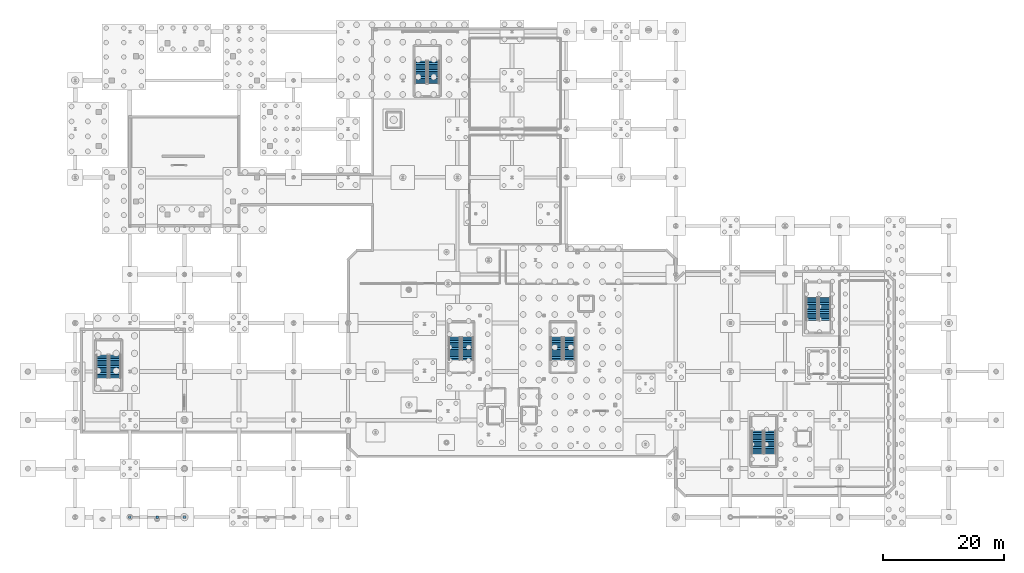
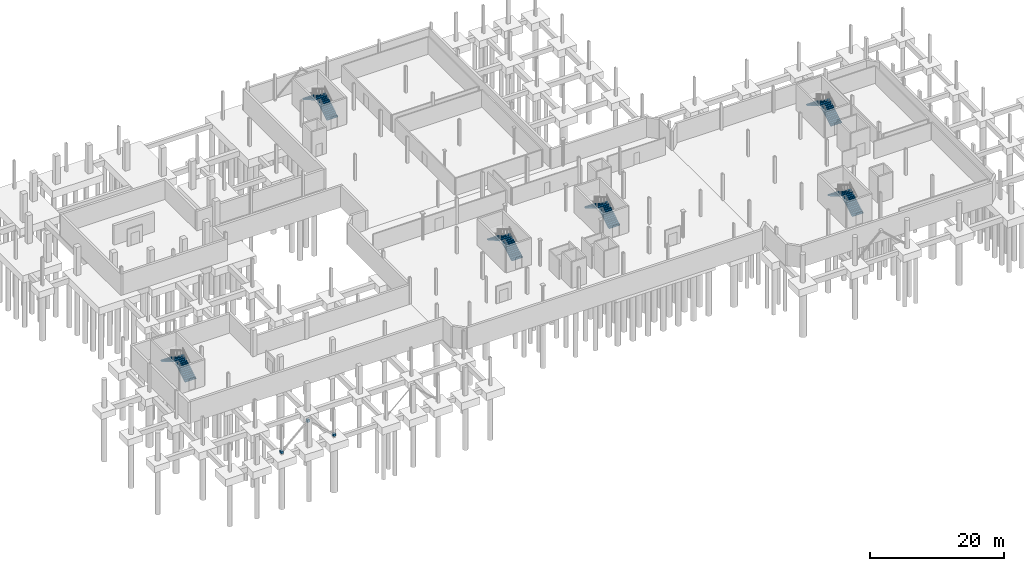
# One storey, part 31 of 37: 12 stair flights, 3 discrete accessories, 6 elements without a shape of their own.
"""IFC4 building model written with IfcOpenShell, lengths in metres."""

from ifc_helpers import new_model, si_unit, direction, frame, origin, place, context, subcontext, project, spatial, polyline, outline, extrude, material, type_object, element, aggregate, save


model = new_model("IFC4")

# Units and contexts
model_context = context("Model", 3, precision=1e-05, world=origin(), true_north=direction((0.0, 1.0)))
body_context = subcontext(model_context, "Body", "Model", "MODEL_VIEW")
ifc_project = project(units=[si_unit("LENGTHUNIT", "METRE"), si_unit("AREAUNIT", "SQUARE_METRE"), si_unit("VOLUMEUNIT", "CUBIC_METRE"), si_unit("PLANEANGLEUNIT", "RADIAN"), si_unit("MASSUNIT", "GRAM", prefix="KILO"), si_unit("THERMODYNAMICTEMPERATUREUNIT", "KELVIN"), si_unit("POWERUNIT", "WATT")], contexts=[model_context])

# Site, building, storey
site_placement = place(None, origin())
site = spatial("IfcSite", under=ifc_project, at=site_placement, CompositionType="ELEMENT")
building_placement = place(site_placement, origin())
building = spatial("IfcBuilding", under=site, at=building_placement, Name="Zelmaris Science Centre", CompositionType="ELEMENT")
storey_placement = place(building_placement, frame((0.0, 0.0, -4.800048828125)))
storey = spatial("IfcBuildingStorey", under=building, at=storey_placement, Name="B1", CompositionType="ELEMENT", Elevation=-4.800048828125)

# Stair, stair flights
ifc_material_1 = material(Name="Concrete C40/50", Category="concrete")
stair_type = type_object("IfcStairType", Name="Exit Stair ST-B W1900", PredefinedType="HALF_TURN_STAIR", material=ifc_material_1)
stair_1_placement = place(storey_placement, origin())
stair_1 = element("IfcStair", 1, at=stair_1_placement, inside=storey, type_object=stair_type, Name="B1 Exit Stair Core ST-1", PredefinedType="HALF_TURN_STAIR")
stair_flight_type = type_object("IfcStairFlightType", Name="Stair Flight ST-BF W1900", PredefinedType="STRAIGHT", material=ifc_material_1)
stair_flight_1_placement = place(storey_placement, frame((73.64990234375, 33.89990234375, 0.0), z_axis=(0.0, 0.0, 1.0), x_axis=(0.0, 1.0, 0.0)))
stair_flight_1 = element("IfcStairFlight", 2, at=stair_flight_1_placement, type_object=stair_flight_type, Name="ST-1 flight 1", NumberOfRisers=14, NumberOfTreads=13, PredefinedType="STRAIGHT", RiserHeight=0.171428571, TreadLength=0.29, context=body_context, shape_type="SweptSolid", body=[
    extrude(outline(polyline([(0.0, 0.0), (0.0, 0.17138671875), (0.2900390625, 0.17138671875), (0.2900390625, 0.3427734375), (0.580078125, 0.3427734375), (0.580078125, 0.514404296875), (0.8701171875, 0.514404296875), (0.8701171875, 0.685791015625), (1.159912109375, 0.685791015625), (1.159912109375, 0.857177734375), (1.449951171875, 0.857177734375), (1.449951171875, 1.028564453125), (1.739990234375, 1.028564453125), (1.739990234375, 1.199951171875), (2.030029296875, 1.199951171875), (2.030029296875, 1.371337890625), (2.320068359375, 1.371337890625), (2.320068359375, 1.54296875), (2.610107421875, 1.54296875), (2.610107421875, 1.71435546875), (2.89990234375, 1.71435546875), (2.89990234375, 1.8857421875), (3.18994140625, 1.8857421875), (3.18994140625, 2.05712890625), (3.47998046875, 2.05712890625), (3.47998046875, 2.228515625), (3.77001953125, 2.228515625), (3.77001953125, 2.39990234375), (3.77001953125, 2.054443359375), (0.294677734375, 0.0), (0.0, 0.0)])), frame((0.0, 0.949951171875, 0.0), z_axis=(0.0, -1.0, 0.0), x_axis=(1.0, 0.0, 0.0)), (0.0, 0.0, 1.0), 1.89990234375),
])
stair_flight_2_placement = place(storey_placement, frame((71.550048828125, 37.669921875, 2.400146484375), z_axis=(0.0, 0.0, 1.0), x_axis=(0.0, -1.0, 0.0)))
stair_flight_2 = element("IfcStairFlight", 3, at=stair_flight_2_placement, type_object=stair_flight_type, Name="ST-1 flight 2", NumberOfRisers=14, NumberOfTreads=13, PredefinedType="STRAIGHT", RiserHeight=0.171428571, TreadLength=0.29, context=body_context, shape_type="SweptSolid", body=[
    extrude(outline(polyline([(0.0, 0.0), (0.0, 0.17138671875), (0.2900390625, 0.17138671875), (0.2900390625, 0.3427734375), (0.580078125, 0.3427734375), (0.580078125, 0.514404296875), (0.8701171875, 0.514404296875), (0.8701171875, 0.685791015625), (1.159912109375, 0.685791015625), (1.159912109375, 0.857177734375), (1.449951171875, 0.857177734375), (1.449951171875, 1.028564453125), (1.739990234375, 1.028564453125), (1.739990234375, 1.199951171875), (2.030029296875, 1.199951171875), (2.030029296875, 1.371337890625), (2.320068359375, 1.371337890625), (2.320068359375, 1.54296875), (2.610107421875, 1.54296875), (2.610107421875, 1.71435546875), (2.89990234375, 1.71435546875), (2.89990234375, 1.8857421875), (3.18994140625, 1.8857421875), (3.18994140625, 2.05712890625), (3.47998046875, 2.05712890625), (3.47998046875, 2.228515625), (3.77001953125, 2.228515625), (3.77001953125, 2.39990234375), (3.77001953125, 2.054443359375), (0.294677734375, 0.0), (0.0, 0.0)])), frame((0.0, 0.949951171875, 0.0), z_axis=(0.0, -1.0, 0.0), x_axis=(1.0, 0.0, 0.0)), (0.0, 0.0, 1.0), 1.89990234375),
])
aggregate(stair_1, [stair_flight_1, stair_flight_2])

stair_2_placement = place(storey_placement, origin())
stair_2 = element("IfcStair", 4, at=stair_2_placement, inside=storey, type_object=stair_type, Name="B1 Exit Stair Core ST-2", PredefinedType="HALF_TURN_STAIR")
stair_flight_3_placement = place(storey_placement, frame((90.449951171875, 33.89990234375, 0.0), z_axis=(0.0, 0.0, 1.0), x_axis=(0.0, 1.0, 0.0)))
stair_flight_3 = element("IfcStairFlight", 5, at=stair_flight_3_placement, type_object=stair_flight_type, Name="ST-2 flight 1", NumberOfRisers=14, NumberOfTreads=13, PredefinedType="STRAIGHT", RiserHeight=0.171428571, TreadLength=0.29, context=body_context, shape_type="SweptSolid", body=[
    extrude(outline(polyline([(0.0, 0.0), (0.0, 0.17138671875), (0.2900390625, 0.17138671875), (0.2900390625, 0.3427734375), (0.580078125, 0.3427734375), (0.580078125, 0.514404296875), (0.8701171875, 0.514404296875), (0.8701171875, 0.685791015625), (1.159912109375, 0.685791015625), (1.159912109375, 0.857177734375), (1.449951171875, 0.857177734375), (1.449951171875, 1.028564453125), (1.739990234375, 1.028564453125), (1.739990234375, 1.199951171875), (2.030029296875, 1.199951171875), (2.030029296875, 1.371337890625), (2.320068359375, 1.371337890625), (2.320068359375, 1.54296875), (2.610107421875, 1.54296875), (2.610107421875, 1.71435546875), (2.89990234375, 1.71435546875), (2.89990234375, 1.8857421875), (3.18994140625, 1.8857421875), (3.18994140625, 2.05712890625), (3.47998046875, 2.05712890625), (3.47998046875, 2.228515625), (3.77001953125, 2.228515625), (3.77001953125, 2.39990234375), (3.77001953125, 2.054443359375), (0.294677734375, 0.0), (0.0, 0.0)])), frame((0.0, 0.949951171875, 0.0), z_axis=(0.0, -1.0, 0.0), x_axis=(1.0, 0.0, 0.0)), (0.0, 0.0, 1.0), 1.89990234375),
])
stair_flight_4_placement = place(storey_placement, frame((88.35009765625, 37.669921875, 2.400146484375), z_axis=(0.0, 0.0, 1.0), x_axis=(0.0, -1.0, 0.0)))
stair_flight_4 = element("IfcStairFlight", 6, at=stair_flight_4_placement, type_object=stair_flight_type, Name="ST-2 flight 2", NumberOfRisers=14, NumberOfTreads=13, PredefinedType="STRAIGHT", RiserHeight=0.171428571, TreadLength=0.29, context=body_context, shape_type="SweptSolid", body=[
    extrude(outline(polyline([(0.0, 0.0), (0.0, 0.17138671875), (0.2900390625, 0.17138671875), (0.2900390625, 0.3427734375), (0.580078125, 0.3427734375), (0.580078125, 0.514404296875), (0.8701171875, 0.514404296875), (0.8701171875, 0.685791015625), (1.159912109375, 0.685791015625), (1.159912109375, 0.857177734375), (1.449951171875, 0.857177734375), (1.449951171875, 1.028564453125), (1.739990234375, 1.028564453125), (1.739990234375, 1.199951171875), (2.030029296875, 1.199951171875), (2.030029296875, 1.371337890625), (2.320068359375, 1.371337890625), (2.320068359375, 1.54296875), (2.610107421875, 1.54296875), (2.610107421875, 1.71435546875), (2.89990234375, 1.71435546875), (2.89990234375, 1.8857421875), (3.18994140625, 1.8857421875), (3.18994140625, 2.05712890625), (3.47998046875, 2.05712890625), (3.47998046875, 2.228515625), (3.77001953125, 2.228515625), (3.77001953125, 2.39990234375), (3.77001953125, 2.054443359375), (0.294677734375, 0.0), (0.0, 0.0)])), frame((0.0, 0.949951171875, 0.0), z_axis=(0.0, -1.0, 0.0), x_axis=(1.0, 0.0, 0.0)), (0.0, 0.0, 1.0), 1.89990234375),
])
aggregate(stair_2, [stair_flight_3, stair_flight_4])

stair_3_placement = place(storey_placement, origin())
stair_3 = element("IfcStair", 7, at=stair_3_placement, inside=storey, type_object=stair_type, Name="B1 Exit Stair Core ST-3", PredefinedType="HALF_TURN_STAIR")
stair_flight_5_placement = place(storey_placement, frame((68.050048828125, 79.449951171875, 0.0), z_axis=(0.0, 0.0, 1.0), x_axis=(0.0, 1.0, 0.0)))
stair_flight_5 = element("IfcStairFlight", 8, at=stair_flight_5_placement, type_object=stair_flight_type, Name="ST-3 flight 1", NumberOfRisers=14, NumberOfTreads=13, PredefinedType="STRAIGHT", RiserHeight=0.171428571, TreadLength=0.29, context=body_context, shape_type="SweptSolid", body=[
    extrude(outline(polyline([(0.0, 0.0), (0.0, 0.17138671875), (0.2900390625, 0.17138671875), (0.2900390625, 0.3427734375), (0.580078125, 0.3427734375), (0.580078125, 0.514404296875), (0.8701171875, 0.514404296875), (0.8701171875, 0.685791015625), (1.159912109375, 0.685791015625), (1.159912109375, 0.857177734375), (1.449951171875, 0.857177734375), (1.449951171875, 1.028564453125), (1.739990234375, 1.028564453125), (1.739990234375, 1.199951171875), (2.030029296875, 1.199951171875), (2.030029296875, 1.371337890625), (2.320068359375, 1.371337890625), (2.320068359375, 1.54296875), (2.610107421875, 1.54296875), (2.610107421875, 1.71435546875), (2.89990234375, 1.71435546875), (2.89990234375, 1.8857421875), (3.18994140625, 1.8857421875), (3.18994140625, 2.05712890625), (3.47998046875, 2.05712890625), (3.47998046875, 2.228515625), (3.77001953125, 2.228515625), (3.77001953125, 2.39990234375), (3.77001953125, 2.054443359375), (0.294677734375, 0.0), (0.0, 0.0)])), frame((0.0, 0.949951171875, 0.0), z_axis=(0.0, -1.0, 0.0), x_axis=(1.0, 0.0, 0.0)), (0.0, 0.0, 1.0), 1.89990234375),
])
stair_flight_6_placement = place(storey_placement, frame((65.949951171875, 83.219970703125, 2.400146484375), z_axis=(0.0, 0.0, 1.0), x_axis=(0.0, -1.0, 0.0)))
stair_flight_6 = element("IfcStairFlight", 9, at=stair_flight_6_placement, type_object=stair_flight_type, Name="ST-3 flight 2", NumberOfRisers=14, NumberOfTreads=13, PredefinedType="STRAIGHT", RiserHeight=0.171428571, TreadLength=0.29, context=body_context, shape_type="SweptSolid", body=[
    extrude(outline(polyline([(0.0, 0.0), (0.0, 0.17138671875), (0.2900390625, 0.17138671875), (0.2900390625, 0.3427734375), (0.580078125, 0.3427734375), (0.580078125, 0.514404296875), (0.8701171875, 0.514404296875), (0.8701171875, 0.685791015625), (1.159912109375, 0.685791015625), (1.159912109375, 0.857177734375), (1.449951171875, 0.857177734375), (1.449951171875, 1.028564453125), (1.739990234375, 1.028564453125), (1.739990234375, 1.199951171875), (2.030029296875, 1.199951171875), (2.030029296875, 1.371337890625), (2.320068359375, 1.371337890625), (2.320068359375, 1.54296875), (2.610107421875, 1.54296875), (2.610107421875, 1.71435546875), (2.89990234375, 1.71435546875), (2.89990234375, 1.8857421875), (3.18994140625, 1.8857421875), (3.18994140625, 2.05712890625), (3.47998046875, 2.05712890625), (3.47998046875, 2.228515625), (3.77001953125, 2.228515625), (3.77001953125, 2.39990234375), (3.77001953125, 2.054443359375), (0.294677734375, 0.0), (0.0, 0.0)])), frame((0.0, 0.949951171875, 0.0), z_axis=(0.0, -1.0, 0.0), x_axis=(1.0, 0.0, 0.0)), (0.0, 0.0, 1.0), 1.89990234375),
])
aggregate(stair_3, [stair_flight_5, stair_flight_6])

stair_4_placement = place(storey_placement, origin())
stair_4 = element("IfcStair", 10, at=stair_4_placement, inside=storey, type_object=stair_type, Name="B1 Exit Stair Core ST-4", PredefinedType="HALF_TURN_STAIR")
stair_flight_7_placement = place(storey_placement, frame((123.550048828125, 18.449951171875, 0.0), z_axis=(0.0, 0.0, 1.0), x_axis=(0.0, 1.0, 0.0)))
stair_flight_7 = element("IfcStairFlight", 11, at=stair_flight_7_placement, type_object=stair_flight_type, Name="ST-4 flight 1", NumberOfRisers=14, NumberOfTreads=13, PredefinedType="STRAIGHT", RiserHeight=0.171428571, TreadLength=0.29, context=body_context, shape_type="SweptSolid", body=[
    extrude(outline(polyline([(0.0, 0.0), (0.0, 0.17138671875), (0.2900390625, 0.17138671875), (0.2900390625, 0.3427734375), (0.580078125, 0.3427734375), (0.580078125, 0.514404296875), (0.8701171875, 0.514404296875), (0.8701171875, 0.685791015625), (1.159912109375, 0.685791015625), (1.159912109375, 0.857177734375), (1.449951171875, 0.857177734375), (1.449951171875, 1.028564453125), (1.739990234375, 1.028564453125), (1.739990234375, 1.199951171875), (2.030029296875, 1.199951171875), (2.030029296875, 1.371337890625), (2.320068359375, 1.371337890625), (2.320068359375, 1.54296875), (2.610107421875, 1.54296875), (2.610107421875, 1.71435546875), (2.89990234375, 1.71435546875), (2.89990234375, 1.8857421875), (3.18994140625, 1.8857421875), (3.18994140625, 2.05712890625), (3.47998046875, 2.05712890625), (3.47998046875, 2.228515625), (3.77001953125, 2.228515625), (3.77001953125, 2.39990234375), (3.77001953125, 2.054443359375), (0.294677734375, 0.0), (0.0, 0.0)])), frame((0.0, 0.949951171875, 0.0), z_axis=(0.0, -1.0, 0.0), x_axis=(1.0, 0.0, 0.0)), (0.0, 0.0, 1.0), 1.89990234375),
])
stair_flight_8_placement = place(storey_placement, frame((121.449951171875, 22.219970703125, 2.400146484375), z_axis=(0.0, 0.0, 1.0), x_axis=(0.0, -1.0, 0.0)))
stair_flight_8 = element("IfcStairFlight", 12, at=stair_flight_8_placement, type_object=stair_flight_type, Name="ST-4 flight 2", NumberOfRisers=14, NumberOfTreads=13, PredefinedType="STRAIGHT", RiserHeight=0.171428571, TreadLength=0.29, context=body_context, shape_type="SweptSolid", body=[
    extrude(outline(polyline([(0.0, 0.0), (0.0, 0.17138671875), (0.2900390625, 0.17138671875), (0.2900390625, 0.3427734375), (0.580078125, 0.3427734375), (0.580078125, 0.514404296875), (0.8701171875, 0.514404296875), (0.8701171875, 0.685791015625), (1.159912109375, 0.685791015625), (1.159912109375, 0.857177734375), (1.449951171875, 0.857177734375), (1.449951171875, 1.028564453125), (1.739990234375, 1.028564453125), (1.739990234375, 1.199951171875), (2.030029296875, 1.199951171875), (2.030029296875, 1.371337890625), (2.320068359375, 1.371337890625), (2.320068359375, 1.54296875), (2.610107421875, 1.54296875), (2.610107421875, 1.71435546875), (2.89990234375, 1.71435546875), (2.89990234375, 1.8857421875), (3.18994140625, 1.8857421875), (3.18994140625, 2.05712890625), (3.47998046875, 2.05712890625), (3.47998046875, 2.228515625), (3.77001953125, 2.228515625), (3.77001953125, 2.39990234375), (3.77001953125, 2.054443359375), (0.294677734375, 0.0), (0.0, 0.0)])), frame((0.0, 0.949951171875, 0.0), z_axis=(0.0, -1.0, 0.0), x_axis=(1.0, 0.0, 0.0)), (0.0, 0.0, 1.0), 1.89990234375),
])
aggregate(stair_4, [stair_flight_7, stair_flight_8])

stair_5_placement = place(storey_placement, origin())
stair_5 = element("IfcStair", 13, at=stair_5_placement, inside=storey, type_object=stair_type, Name="B1 Exit Stair Core ST-5", PredefinedType="HALF_TURN_STAIR")
stair_flight_9_placement = place(storey_placement, frame((132.550048828125, 40.449951171875, 0.0), z_axis=(0.0, 0.0, 1.0), x_axis=(0.0, 1.0, 0.0)))
stair_flight_9 = element("IfcStairFlight", 14, at=stair_flight_9_placement, type_object=stair_flight_type, Name="ST-5 flight 1", NumberOfRisers=14, NumberOfTreads=13, PredefinedType="STRAIGHT", RiserHeight=0.171428571, TreadLength=0.29, context=body_context, shape_type="SweptSolid", body=[
    extrude(outline(polyline([(0.0, 0.0), (0.0, 0.17138671875), (0.2900390625, 0.17138671875), (0.2900390625, 0.3427734375), (0.580078125, 0.3427734375), (0.580078125, 0.514404296875), (0.8701171875, 0.514404296875), (0.8701171875, 0.685791015625), (1.159912109375, 0.685791015625), (1.159912109375, 0.857177734375), (1.449951171875, 0.857177734375), (1.449951171875, 1.028564453125), (1.739990234375, 1.028564453125), (1.739990234375, 1.199951171875), (2.030029296875, 1.199951171875), (2.030029296875, 1.371337890625), (2.320068359375, 1.371337890625), (2.320068359375, 1.54296875), (2.610107421875, 1.54296875), (2.610107421875, 1.71435546875), (2.89990234375, 1.71435546875), (2.89990234375, 1.8857421875), (3.18994140625, 1.8857421875), (3.18994140625, 2.05712890625), (3.47998046875, 2.05712890625), (3.47998046875, 2.228515625), (3.77001953125, 2.228515625), (3.77001953125, 2.39990234375), (3.77001953125, 2.054443359375), (0.294677734375, 0.0), (0.0, 0.0)])), frame((0.0, 0.949951171875, 0.0), z_axis=(0.0, -1.0, 0.0), x_axis=(1.0, 0.0, 0.0)), (0.0, 0.0, 1.0), 1.89990234375),
])
stair_flight_10_placement = place(storey_placement, frame((130.449951171875, 44.219970703125, 2.400146484375), z_axis=(0.0, 0.0, 1.0), x_axis=(0.0, -1.0, 0.0)))
stair_flight_10 = element("IfcStairFlight", 15, at=stair_flight_10_placement, type_object=stair_flight_type, Name="ST-5 flight 2", NumberOfRisers=14, NumberOfTreads=13, PredefinedType="STRAIGHT", RiserHeight=0.171428571, TreadLength=0.29, context=body_context, shape_type="SweptSolid", body=[
    extrude(outline(polyline([(0.0, 0.0), (0.0, 0.17138671875), (0.2900390625, 0.17138671875), (0.2900390625, 0.3427734375), (0.580078125, 0.3427734375), (0.580078125, 0.514404296875), (0.8701171875, 0.514404296875), (0.8701171875, 0.685791015625), (1.159912109375, 0.685791015625), (1.159912109375, 0.857177734375), (1.449951171875, 0.857177734375), (1.449951171875, 1.028564453125), (1.739990234375, 1.028564453125), (1.739990234375, 1.199951171875), (2.030029296875, 1.199951171875), (2.030029296875, 1.371337890625), (2.320068359375, 1.371337890625), (2.320068359375, 1.54296875), (2.610107421875, 1.54296875), (2.610107421875, 1.71435546875), (2.89990234375, 1.71435546875), (2.89990234375, 1.8857421875), (3.18994140625, 1.8857421875), (3.18994140625, 2.05712890625), (3.47998046875, 2.05712890625), (3.47998046875, 2.228515625), (3.77001953125, 2.228515625), (3.77001953125, 2.39990234375), (3.77001953125, 2.054443359375), (0.294677734375, 0.0), (0.0, 0.0)])), frame((0.0, 0.949951171875, 0.0), z_axis=(0.0, -1.0, 0.0), x_axis=(1.0, 0.0, 0.0)), (0.0, 0.0, 1.0), 1.89990234375),
])
aggregate(stair_5, [stair_flight_9, stair_flight_10])

stair_6_placement = place(storey_placement, origin())
stair_6 = element("IfcStair", 16, at=stair_6_placement, inside=storey, type_object=stair_type, Name="B1 Exit Stair Core ST-6", PredefinedType="HALF_TURN_STAIR")
stair_flight_11_placement = place(storey_placement, frame((15.550048828125, 30.949951171875, 0.0), z_axis=(0.0, 0.0, 1.0), x_axis=(0.0, 1.0, 0.0)))
stair_flight_11 = element("IfcStairFlight", 17, at=stair_flight_11_placement, type_object=stair_flight_type, Name="ST-6 flight 1", NumberOfRisers=14, NumberOfTreads=13, PredefinedType="STRAIGHT", RiserHeight=0.171428571, TreadLength=0.29, context=body_context, shape_type="SweptSolid", body=[
    extrude(outline(polyline([(0.0, 0.0), (0.0, 0.17138671875), (0.2900390625, 0.17138671875), (0.2900390625, 0.3427734375), (0.580078125, 0.3427734375), (0.580078125, 0.514404296875), (0.8701171875, 0.514404296875), (0.8701171875, 0.685791015625), (1.159912109375, 0.685791015625), (1.159912109375, 0.857177734375), (1.449951171875, 0.857177734375), (1.449951171875, 1.028564453125), (1.739990234375, 1.028564453125), (1.739990234375, 1.199951171875), (2.030029296875, 1.199951171875), (2.030029296875, 1.371337890625), (2.320068359375, 1.371337890625), (2.320068359375, 1.54296875), (2.610107421875, 1.54296875), (2.610107421875, 1.71435546875), (2.89990234375, 1.71435546875), (2.89990234375, 1.8857421875), (3.18994140625, 1.8857421875), (3.18994140625, 2.05712890625), (3.47998046875, 2.05712890625), (3.47998046875, 2.228515625), (3.77001953125, 2.228515625), (3.77001953125, 2.39990234375), (3.77001953125, 2.054443359375), (0.294677734375, 0.0), (0.0, 0.0)])), frame((0.0, 0.949951171875, 0.0), z_axis=(0.0, -1.0, 0.0), x_axis=(1.0, 0.0, 0.0)), (0.0, 0.0, 1.0), 1.89990234375),
])
stair_flight_12_placement = place(storey_placement, frame((13.449951171875, 34.719970703125, 2.400146484375), z_axis=(0.0, 0.0, 1.0), x_axis=(0.0, -1.0, 0.0)))
stair_flight_12 = element("IfcStairFlight", 18, at=stair_flight_12_placement, type_object=stair_flight_type, Name="ST-6 flight 2", NumberOfRisers=14, NumberOfTreads=13, PredefinedType="STRAIGHT", RiserHeight=0.171428571, TreadLength=0.29, context=body_context, shape_type="SweptSolid", body=[
    extrude(outline(polyline([(0.0, 0.0), (0.0, 0.17138671875), (0.2900390625, 0.17138671875), (0.2900390625, 0.3427734375), (0.580078125, 0.3427734375), (0.580078125, 0.514404296875), (0.8701171875, 0.514404296875), (0.8701171875, 0.685791015625), (1.159912109375, 0.685791015625), (1.159912109375, 0.857177734375), (1.449951171875, 0.857177734375), (1.449951171875, 1.028564453125), (1.739990234375, 1.028564453125), (1.739990234375, 1.199951171875), (2.030029296875, 1.199951171875), (2.030029296875, 1.371337890625), (2.320068359375, 1.371337890625), (2.320068359375, 1.54296875), (2.610107421875, 1.54296875), (2.610107421875, 1.71435546875), (2.89990234375, 1.71435546875), (2.89990234375, 1.8857421875), (3.18994140625, 1.8857421875), (3.18994140625, 2.05712890625), (3.47998046875, 2.05712890625), (3.47998046875, 2.228515625), (3.77001953125, 2.228515625), (3.77001953125, 2.39990234375), (3.77001953125, 2.054443359375), (0.294677734375, 0.0), (0.0, 0.0)])), frame((0.0, 0.949951171875, 0.0), z_axis=(0.0, -1.0, 0.0), x_axis=(1.0, 0.0, 0.0)), (0.0, 0.0, 1.0), 1.89990234375),
])
aggregate(stair_6, [stair_flight_11, stair_flight_12])

# Discrete accessories
ifc_material_2 = material(Name="Steel ASTM A500 Grade C", Category="steel")
discrete_accessory_type = type_object("IfcDiscreteAccessoryType", Name="Hollow Section End Cap Plate BK-ECP", PredefinedType="BRACKET", material=ifc_material_2)
discrete_accessory_1_placement = place(storey_placement, frame((0.0, 0.0, -0.143310546875)))
element("IfcDiscreteAccessory", 19, at=discrete_accessory_1_placement, inside=storey, type_object=discrete_accessory_type, Name="End cap plate 551", PredefinedType="BRACKET", context=body_context, shape_type="SweptSolid", body=[
    extrude(outline(polyline([(17.7763671875, 7.78076171875), (18.21484375, 7.78076171875), (18.21484375, 8.21923828125), (17.7763671875, 8.21923828125), (17.7763671875, 7.78076171875)])), origin(), (0.0, 0.0, 1.0), 0.4384765625),
])
discrete_accessory_2_placement = place(storey_placement, frame((0.0, 0.0, 3.98486328125)))
element("IfcDiscreteAccessory", 20, at=discrete_accessory_2_placement, inside=storey, type_object=discrete_accessory_type, Name="End cap plate 552", PredefinedType="BRACKET", context=body_context, shape_type="SweptSolid", body=[
    extrude(outline(polyline([(22.28515625, 7.78076171875), (22.7236328125, 7.78076171875), (22.7236328125, 8.21923828125), (22.28515625, 8.21923828125), (22.28515625, 7.78076171875)])), origin(), (0.0, 0.0, 1.0), 0.4384765625),
])
discrete_accessory_3_placement = place(storey_placement, frame((0.0, 0.0, -0.143310546875)))
element("IfcDiscreteAccessory", 21, at=discrete_accessory_3_placement, inside=storey, type_object=discrete_accessory_type, Name="End cap plate 553", PredefinedType="BRACKET", context=body_context, shape_type="SweptSolid", body=[
    extrude(outline(polyline([(26.78515625, 7.78076171875), (27.2236328125, 7.78076171875), (27.2236328125, 8.21923828125), (26.78515625, 8.21923828125), (26.78515625, 7.78076171875)])), origin(), (0.0, 0.0, 1.0), 0.4384765625),
])

save(model, "model.ifc")
